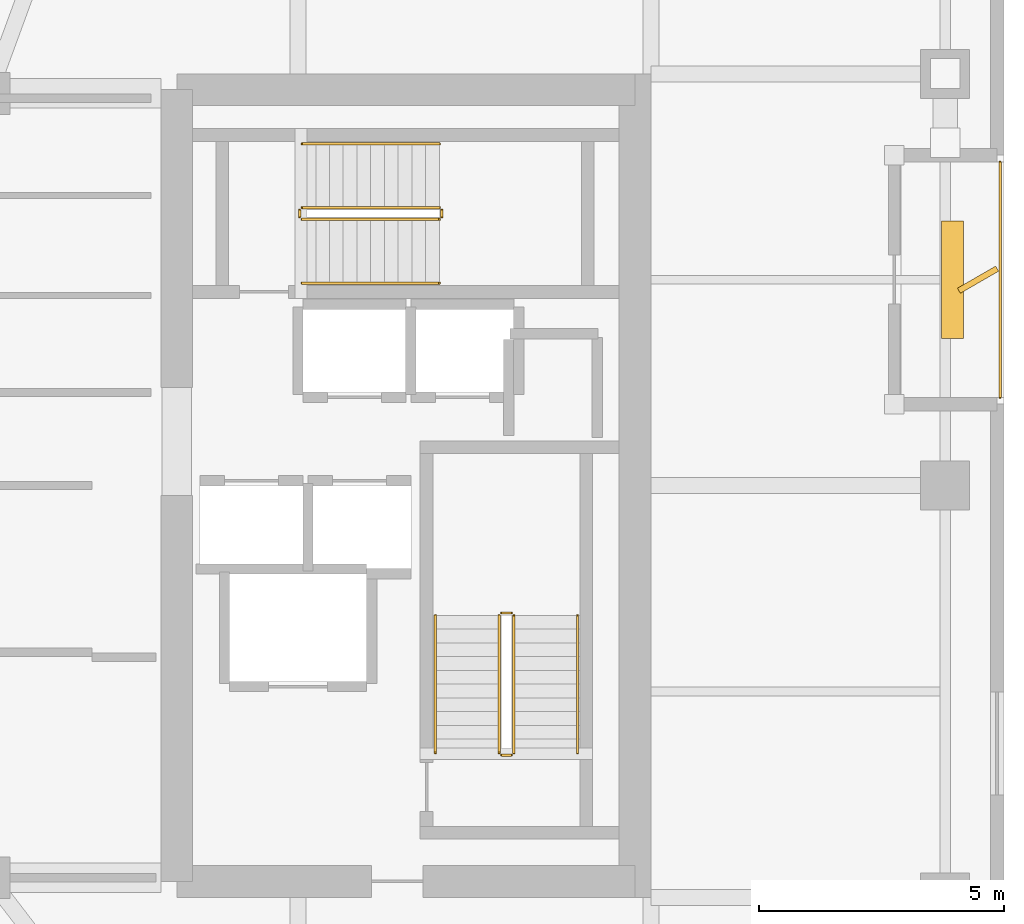
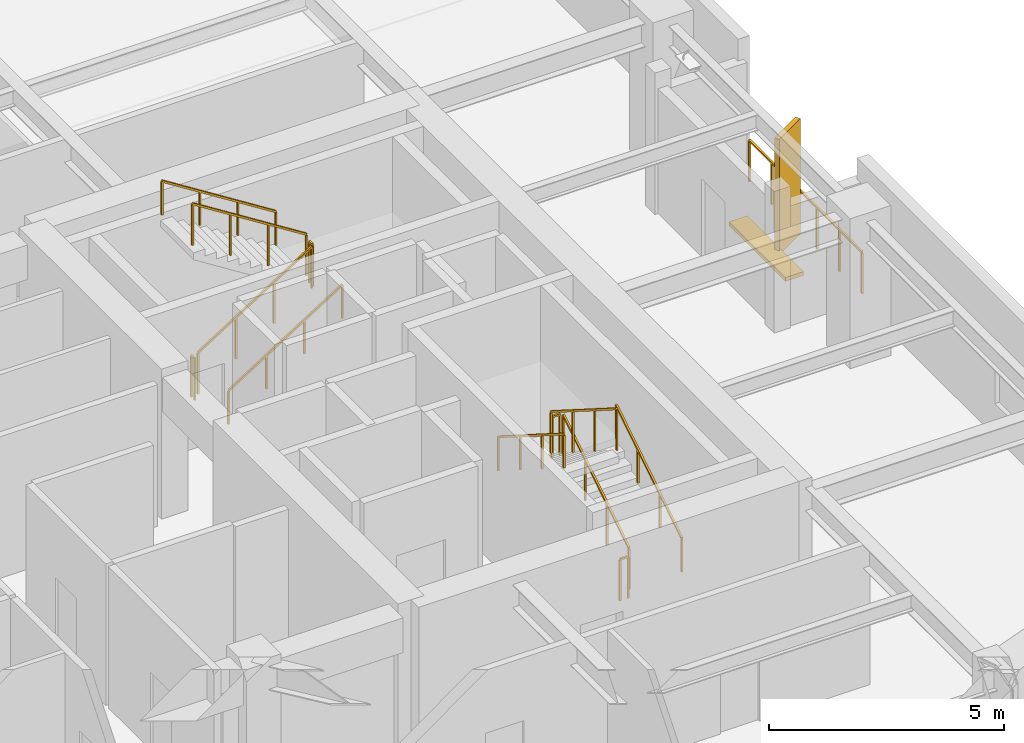
# One storey, part 20 of 21: 13 railings, 2 shading devices.
"""IFC4 building model written with IfcOpenShell, lengths in metres."""

import ifcopenshell
import ifcopenshell.guid

model = None  # the IFC model being written
_history = None  # IfcOwnerHistory: only IFC2X3 demands one
_inside = {}  # id of a spatial element -> (the spatial element, [elements in it])
_under = {}  # id of a project, library or spatial element -> (it, [spatial elements below it])
_declared = {}  # id of a project -> (the project, [libraries it declares])
_typed = {}  # id of a type object -> (the type object, [elements of that type])
_made_of = {}  # id of a material, layer set ... -> (it, [elements and type objects made of it])


def new_model(schema):
    """Start an empty IFC model of exactly this schema.

    Asked for "IFC4X3", IfcOpenShell would pick the latest addendum, in which some entities
    have other attributes; the version numbers below select the first issue.
    IFC2X3 requires an IfcOwnerHistory on every rooted entity: one is made here for all.
    """
    global model, _history
    if schema == "IFC4X3":
        model = ifcopenshell.file(schema_version=(4, 3, 0, 0))
    else:
        model = ifcopenshell.file(schema=schema)
    _inside.clear()
    _under.clear()
    _declared.clear()
    _typed.clear()
    _made_of.clear()
    _history = None
    if model.schema == "IFC2X3":
        org = make("IfcOrganization", Name="unknown")
        user = make(
            "IfcPersonAndOrganization",
            ThePerson=make("IfcPerson", FamilyName="unknown"),
            TheOrganization=org,
        )
        app = make(
            "IfcApplication",
            ApplicationDeveloper=org,
            Version="unknown",
            ApplicationFullName="unknown",
            ApplicationIdentifier="unknown",
        )
        _history = make(
            "IfcOwnerHistory",
            OwningUser=user,
            OwningApplication=app,
            ChangeAction="ADDED",
            CreationDate=0,
        )
    return model


def make(cls, **values):
    """One entity of the class cls with the attributes given. An attribute that is None is left unset."""
    return model.create_entity(
        cls, **{name: value for name, value in values.items() if value is not None}
    )


def rooted(cls, **values):
    """An entity with a GlobalId (a new one), such as an element, a storey or a relation."""
    return make(cls, GlobalId=ifcopenshell.guid.new(), OwnerHistory=_history, **values)


def si_unit(unit_type, name, prefix=None):
    """IfcSIUnit, for example si_unit("LENGTHUNIT", "METRE", prefix="MILLI")."""
    return make("IfcSIUnit", UnitType=unit_type, Prefix=prefix, Name=name)


def assignment(units):
    """IfcUnitAssignment: the units of a project."""
    return None if units is None else make("IfcUnitAssignment", Units=units)


def point(xyz):
    """IfcCartesianPoint."""
    return None if xyz is None else make("IfcCartesianPoint", Coordinates=xyz)


def direction(xyz):
    """IfcDirection."""
    return None if xyz is None else make("IfcDirection", DirectionRatios=xyz)


def frame(location, z_axis=None, x_axis=None):
    """IfcAxis2Placement3D, a coordinate frame: its origin and axes. An axis left out is left unset."""
    return make(
        "IfcAxis2Placement3D",
        Location=point(location),
        Axis=direction(z_axis),
        RefDirection=direction(x_axis),
    )


def frame_2d(location, x_axis=None):
    """IfcAxis2Placement2D, a coordinate frame in the plane: its origin and x axis."""
    return make(
        "IfcAxis2Placement2D", Location=point(location), RefDirection=direction(x_axis)
    )


def origin():
    """The frame at (0, 0, 0) with its axes left unset."""
    return frame((0.0, 0.0, 0.0))


def origin_2d():
    """The frame at (0, 0) in the plane with its x axis left unset."""
    return frame_2d((0.0, 0.0))


def place(relative_to, where):
    """IfcLocalPlacement: puts the frame where relative to a parent placement (None: the world)."""
    return make(
        "IfcLocalPlacement", PlacementRelTo=relative_to, RelativePlacement=where
    )


def context(
    kind, dimensions, precision=None, world=None, true_north=None, identifier=None
):
    """IfcGeometricRepresentationContext, for example the 3D "Model" context."""
    return make(
        "IfcGeometricRepresentationContext",
        ContextIdentifier=identifier,
        ContextType=kind,
        CoordinateSpaceDimension=dimensions,
        Precision=precision,
        WorldCoordinateSystem=world,
        TrueNorth=true_north,
    )


def subcontext(parent, identifier, kind, view, scale=None):
    """IfcGeometricRepresentationSubContext, for example "Body" below "Model"."""
    return make(
        "IfcGeometricRepresentationSubContext",
        ContextIdentifier=identifier,
        ContextType=kind,
        ParentContext=parent,
        TargetScale=scale,
        TargetView=view,
    )


def project(units=None, contexts=None):
    """IfcProject with its units and contexts."""
    return rooted(
        "IfcProject",
        Name="project",
        RepresentationContexts=contexts,
        UnitsInContext=assignment(units),
    )


def spatial(cls, under=None, at=None, **own):
    """A site, building, storey or space (cls), placed at a placement, below another one or the project."""
    s = rooted(cls, ObjectPlacement=at, **own)
    if under is not None:
        _under.setdefault(under.id(), (under, []))[1].append(s)
    return s


def profile(cls, at=None, kind="AREA", **sizes):
    """A parametric profile (cls). Its sizes go by their IFC names, for example OverallWidth=200.0."""
    return make(cls, ProfileType=kind, Position=at, **sizes)


def rectangle(**sizes):
    """IfcRectangleProfileDef."""
    return profile("IfcRectangleProfileDef", **sizes)


def extrude(swept, where, along, depth):
    """IfcExtrudedAreaSolid: the profile swept, set in the frame where, extruded along a direction by depth."""
    return make(
        "IfcExtrudedAreaSolid",
        SweptArea=swept,
        Position=where,
        ExtrudedDirection=direction(along),
        Depth=depth,
    )


def shape(context_of_items, identifier, shape_type, items):
    """IfcShapeRepresentation: the items that make up one representation, for example the "Body"."""
    return make(
        "IfcShapeRepresentation",
        ContextOfItems=context_of_items,
        RepresentationIdentifier=identifier,
        RepresentationType=shape_type,
        Items=items,
    )


def material(Name=None, Category=None):
    """IfcMaterial."""
    return make("IfcMaterial", Name=Name, Category=Category)


def made_of(thing, what):
    """Note that an element or type object is made of a material, layer set ...; save() writes the relation."""
    if what is not None:
        _made_of.setdefault(what.id(), (what, []))[1].append(thing)
    return thing


def type_object(cls, material=None, **own):
    """A type object (cls), such as IfcWallType, which elements share."""
    return made_of(rooted(cls, **own), material)


def element(
    cls,
    number,
    at=None,
    inside=None,
    cuts=None,
    type_object=None,
    material=None,
    context=None,
    identifier="Body",
    shape_type=None,
    held_by="IfcProductDefinitionShape",
    body=None,
    shapes=None,
    **own,
):
    """One element of the class cls, such as IfcWall. Its Tag is "e" and its number.

    at: its placement. inside: the storey or other place that contains it. cuts: it is an
    opening in that element (IfcRelVoidsElement). A single representation is given by context,
    identifier, shape_type and body (its items); several are given by shapes. held_by: the class
    of the entity that holds the representations. save() writes the other relations.
    """
    e = rooted(cls, Tag="e%d" % number, ObjectPlacement=at, **own)
    if body is not None:
        shapes = [shape(context, identifier, shape_type, body)]
    if shapes is not None:
        e.Representation = make(held_by, Representations=shapes)
    if inside is not None:
        _inside.setdefault(inside.id(), (inside, []))[1].append(e)
    if cuts is not None:
        rooted(
            "IfcRelVoidsElement", RelatingBuildingElement=cuts, RelatedOpeningElement=e
        )
    if type_object is not None:
        _typed.setdefault(type_object.id(), (type_object, []))[1].append(e)
    return made_of(e, material)


def aggregate(whole, parts):
    """IfcRelAggregates: a whole, such as a stair, and the parts it consists of."""
    return rooted("IfcRelAggregates", RelatingObject=whole, RelatedObjects=parts)


def save(model, path):
    """Write the relations noted so far, then the file.

    IfcRelAggregates (storeys below a building ...), IfcRelContainedInSpatialStructure (elements
    in a storey), IfcRelDefinesByType, IfcRelAssociatesMaterial and IfcRelDeclares: one each for
    every whole, place, type object, material and project.
    """
    for whole, parts in _under.values():
        aggregate(whole, parts)
    for where, things in _inside.values():
        rooted(
            "IfcRelContainedInSpatialStructure",
            RelatedElements=things,
            RelatingStructure=where,
        )
    for kind, things in _typed.values():
        rooted("IfcRelDefinesByType", RelatedObjects=things, RelatingType=kind)
    for what, things in _made_of.values():
        rooted("IfcRelAssociatesMaterial", RelatedObjects=things, RelatingMaterial=what)
    for by, libraries in _declared.values():
        rooted("IfcRelDeclares", RelatingContext=by, RelatedDefinitions=libraries)
    model.write(path)


model = new_model("IFC4")

# Units and contexts
model_context = context("Model", 3, precision=1e-05, world=origin(), true_north=direction((0.0, 1.0)))
body_context = subcontext(model_context, "Body", "Model", "MODEL_VIEW")
ifc_project = project(units=[si_unit("LENGTHUNIT", "METRE"), si_unit("AREAUNIT", "SQUARE_METRE"), si_unit("VOLUMEUNIT", "CUBIC_METRE"), si_unit("PLANEANGLEUNIT", "RADIAN"), si_unit("MASSUNIT", "GRAM", prefix="KILO")], contexts=[model_context])

# Site, building, storey
site_placement = place(None, origin())
site = spatial("IfcSite", under=ifc_project, at=site_placement, CompositionType="ELEMENT")
building_placement = place(site_placement, origin())
building = spatial("IfcBuilding", under=site, at=building_placement, Name="Kiyonajd Concourse Tower", CompositionType="ELEMENT")
storey_placement = place(building_placement, frame((0.0, 0.0, 247.199951171875)))
storey = spatial("IfcBuildingStorey", under=building, at=storey_placement, Name="L62", CompositionType="ELEMENT", Elevation=247.199951171875)

# Railings
ifc_material_1 = material(Name="Thermally Broken Anodised Aluminium", Category="aluminium")
railing_type_1 = type_object("IfcRailingType", Name="RL-GRD-LOG", PredefinedType="GUARDRAIL", material=ifc_material_1)
railing_1_placement = place(storey_placement, frame((70.719970703125, 37.800048828125, 0.0)))
element("IfcRailing", 1, at=railing_1_placement, inside=storey, type_object=railing_type_1, Name="L62 Engawa Loggia Perimeter Guard LOG-E", PredefinedType="GUARDRAIL", context=body_context, shape_type="SweptSolid", body=[
    extrude(rectangle(XDim=0.048095703125, YDim=0.048095703125, at=origin_2d()), frame((0.0, 0.0, 1.076171875), z_axis=(0.0, 1.0, 0.0), x_axis=(-1.0, 0.0, 0.0)), (0.0, 0.0, 1.0), 4.800048828125),
    extrude(rectangle(XDim=0.0419921875, YDim=0.0419921875, at=origin_2d()), origin(), (0.0, 0.0, 1.0), 1.052001953125),
    extrude(rectangle(XDim=0.0419921875, YDim=0.0419921875, at=origin_2d()), frame((0.0, 0.9599609375, 0.0)), (0.0, 0.0, 1.0), 1.052001953125),
    extrude(rectangle(XDim=0.0419921875, YDim=0.0419921875, at=origin_2d()), frame((0.0, 1.919921875, 0.0)), (0.0, 0.0, 1.0), 1.052001953125),
    extrude(rectangle(XDim=0.0419921875, YDim=0.0419921875, at=origin_2d()), frame((0.0, 2.880126953125, 0.0)), (0.0, 0.0, 1.0), 1.052001953125),
    extrude(rectangle(XDim=0.0419921875, YDim=0.0419921875, at=origin_2d()), frame((0.0, 3.840087890625, 0.0)), (0.0, 0.0, 1.0), 1.052001953125),
    extrude(rectangle(XDim=0.0419921875, YDim=0.0419921875, at=origin_2d()), frame((0.0, 4.800048828125, 0.0)), (0.0, 0.0, 1.0), 1.052001953125),
])
ifc_material_2 = material(Name="Steel ASTM A500 Grade C", Category="steel")
railing_type_2 = type_object("IfcRailingType", Name="RL-GRD-STR", PredefinedType="GUARDRAIL", material=ifc_material_2)
railing_2_placement = place(storey_placement, frame((60.800048828125, 30.550048828125, 0.17724609375)))
element("IfcRailing", 2, at=railing_2_placement, inside=storey, type_object=railing_type_2, Name="L62 ST2 stair guard 1", PredefinedType="GUARDRAIL", context=body_context, shape_type="SweptSolid", body=[
    extrude(rectangle(XDim=0.048095703125, YDim=0.048095703125, at=origin_2d()), frame((0.0, 0.0, 1.076171875), z_axis=(0.0, 0.844908973607, 0.534910110503), x_axis=(-1.0, 0.0, 0.0)), (0.0, 0.0, 1.0), 3.31396484375),
    extrude(rectangle(XDim=0.0419921875, YDim=0.0419921875, at=origin_2d()), origin(), (0.0, 0.0, 1.0), 1.052001953125),
    extrude(rectangle(XDim=0.0419921875, YDim=0.0419921875, at=origin_2d()), frame((0.0, 0.933349609375, 0.5908203125)), (0.0, 0.0, 1.0), 1.052001953125),
    extrude(rectangle(XDim=0.0419921875, YDim=0.0419921875, at=origin_2d()), frame((0.0, 1.86669921875, 1.181884765625)), (0.0, 0.0, 1.0), 1.052001953125),
    extrude(rectangle(XDim=0.0419921875, YDim=0.0419921875, at=origin_2d()), frame((0.0, 2.800048828125, 1.772705078125)), (0.0, 0.0, 1.0), 1.052001953125),
])
railing_3_placement = place(storey_placement, frame((60.75, 33.39990234375, 1.949951171875)))
element("IfcRailing", 3, at=railing_3_placement, inside=storey, type_object=railing_type_2, Name="L62 ST2 stair guard 2", PredefinedType="GUARDRAIL", context=body_context, shape_type="SweptSolid", body=[
    extrude(rectangle(XDim=0.048095703125, YDim=0.048095703125, at=origin_2d()), frame((0.0, 0.0, 1.076171875), z_axis=(-1.0, 0.0, 0.0), x_axis=(0.0, -1.0, 0.0)), (0.0, 0.0, 1.0), 0.199951171875),
    extrude(rectangle(XDim=0.0419921875, YDim=0.0419921875, at=origin_2d()), origin(), (0.0, 0.0, 1.0), 1.052001953125),
    extrude(rectangle(XDim=0.0419921875, YDim=0.0419921875, at=origin_2d()), frame((-0.199951171875, 0.0, 0.0)), (0.0, 0.0, 1.0), 1.052001953125),
])
railing_4_placement = place(storey_placement, frame((60.5, 33.35009765625, 2.12744140625)))
element("IfcRailing", 4, at=railing_4_placement, inside=storey, type_object=railing_type_2, Name="L62 ST2 stair guard 3", PredefinedType="GUARDRAIL", context=body_context, shape_type="SweptSolid", body=[
    extrude(rectangle(XDim=0.048095703125, YDim=0.048095703125, at=origin_2d()), frame((0.0, 0.0, 1.076171875), z_axis=(0.0, -0.844908973607, 0.534910110503), x_axis=(1.0, 0.0, 0.0)), (0.0, 0.0, 1.0), 3.31396484375),
    extrude(rectangle(XDim=0.0419921875, YDim=0.0419921875, at=origin_2d()), origin(), (0.0, 0.0, 1.0), 1.052001953125),
    extrude(rectangle(XDim=0.0419921875, YDim=0.0419921875, at=origin_2d()), frame((0.0, -0.933349609375, 0.5908203125)), (0.0, 0.0, 1.0), 1.052001953125),
    extrude(rectangle(XDim=0.0419921875, YDim=0.0419921875, at=origin_2d()), frame((0.0, -1.86669921875, 1.181884765625)), (0.0, 0.0, 1.0), 1.052001953125),
    extrude(rectangle(XDim=0.0419921875, YDim=0.0419921875, at=origin_2d()), frame((0.0, -2.800048828125, 1.772705078125)), (0.0, 0.0, 1.0), 1.052001953125),
])
railing_5_placement = place(storey_placement, frame((60.75, 30.5, 0.0)))
element("IfcRailing", 5, at=railing_5_placement, inside=storey, type_object=railing_type_2, Name="L62 ST2 stair guard 4", PredefinedType="GUARDRAIL", context=body_context, shape_type="SweptSolid", body=[
    extrude(rectangle(XDim=0.048095703125, YDim=0.048095703125, at=origin_2d()), frame((0.0, 0.0, 1.076171875), z_axis=(-1.0, 0.0, 0.0), x_axis=(0.0, -1.0, 0.0)), (0.0, 0.0, 1.0), 0.199951171875),
    extrude(rectangle(XDim=0.0419921875, YDim=0.0419921875, at=origin_2d()), origin(), (0.0, 0.0, 1.0), 1.052001953125),
    extrude(rectangle(XDim=0.0419921875, YDim=0.0419921875, at=origin_2d()), frame((-0.199951171875, 0.0, 0.0)), (0.0, 0.0, 1.0), 1.052001953125),
])
railing_6_placement = place(storey_placement, frame((56.47998046875, 41.429931640625, 0.17724609375)))
element("IfcRailing", 6, at=railing_6_placement, inside=storey, type_object=railing_type_2, Name="L62 ST3 stair guard 1", PredefinedType="GUARDRAIL", context=body_context, shape_type="SweptSolid", body=[
    extrude(rectangle(XDim=0.048095703125, YDim=0.048095703125, at=origin_2d()), frame((0.0, 0.0, 1.076171875), z_axis=(0.844908973607, 0.0, 0.534910110503), x_axis=(0.0, 1.0, 0.0)), (0.0, 0.0, 1.0), 3.31396484375),
    extrude(rectangle(XDim=0.0419921875, YDim=0.0419921875, at=origin_2d()), origin(), (0.0, 0.0, 1.0), 1.052001953125),
    extrude(rectangle(XDim=0.0419921875, YDim=0.0419921875, at=origin_2d()), frame((0.933349609375, 0.0, 0.5908203125)), (0.0, 0.0, 1.0), 1.052001953125),
    extrude(rectangle(XDim=0.0419921875, YDim=0.0419921875, at=origin_2d()), frame((1.86669921875, 0.0, 1.181884765625)), (0.0, 0.0, 1.0), 1.052001953125),
    extrude(rectangle(XDim=0.0419921875, YDim=0.0419921875, at=origin_2d()), frame((2.800048828125, 0.0, 1.772705078125)), (0.0, 0.0, 1.0), 1.052001953125),
])
railing_7_placement = place(storey_placement, frame((59.330078125, 41.47998046875, 1.949951171875)))
element("IfcRailing", 7, at=railing_7_placement, inside=storey, type_object=railing_type_2, Name="L62 ST3 stair guard 2", PredefinedType="GUARDRAIL", context=body_context, shape_type="SweptSolid", body=[
    extrude(rectangle(XDim=0.048095703125, YDim=0.048095703125, at=origin_2d()), frame((0.0, 0.0, 1.076171875), z_axis=(0.0, 1.0, 0.0), x_axis=(-1.0, 0.0, 0.0)), (0.0, 0.0, 1.0), 0.14013671875),
    extrude(rectangle(XDim=0.0419921875, YDim=0.0419921875, at=origin_2d()), origin(), (0.0, 0.0, 1.0), 1.052001953125),
    extrude(rectangle(XDim=0.0419921875, YDim=0.0419921875, at=origin_2d()), frame((0.0, 0.14013671875, 0.0)), (0.0, 0.0, 1.0), 1.052001953125),
])
railing_8_placement = place(storey_placement, frame((59.280029296875, 41.669921875, 2.12744140625)))
element("IfcRailing", 8, at=railing_8_placement, inside=storey, type_object=railing_type_2, Name="L62 ST3 stair guard 3", PredefinedType="GUARDRAIL", context=body_context, shape_type="SweptSolid", body=[
    extrude(rectangle(XDim=0.048095703125, YDim=0.048095703125, at=origin_2d()), frame((0.0, 0.0, 1.076171875), z_axis=(-0.844908973607, 0.0, 0.534910110503), x_axis=(0.0, -1.0, 0.0)), (0.0, 0.0, 1.0), 3.31396484375),
    extrude(rectangle(XDim=0.0419921875, YDim=0.0419921875, at=origin_2d()), origin(), (0.0, 0.0, 1.0), 1.052001953125),
    extrude(rectangle(XDim=0.0419921875, YDim=0.0419921875, at=origin_2d()), frame((-0.933349609375, 0.0, 0.5908203125)), (0.0, 0.0, 1.0), 1.052001953125),
    extrude(rectangle(XDim=0.0419921875, YDim=0.0419921875, at=origin_2d()), frame((-1.86669921875, 0.0, 1.181884765625)), (0.0, 0.0, 1.0), 1.052001953125),
    extrude(rectangle(XDim=0.0419921875, YDim=0.0419921875, at=origin_2d()), frame((-2.800048828125, 0.0, 1.772705078125)), (0.0, 0.0, 1.0), 1.052001953125),
])
railing_9_placement = place(storey_placement, frame((56.429931640625, 41.47998046875, 0.0)))
element("IfcRailing", 9, at=railing_9_placement, inside=storey, type_object=railing_type_2, Name="L62 ST3 stair guard 4", PredefinedType="GUARDRAIL", context=body_context, shape_type="SweptSolid", body=[
    extrude(rectangle(XDim=0.048095703125, YDim=0.048095703125, at=origin_2d()), frame((0.0, 0.0, 1.076171875), z_axis=(0.0, 1.0, 0.0), x_axis=(-1.0, 0.0, 0.0)), (0.0, 0.0, 1.0), 0.14013671875),
    extrude(rectangle(XDim=0.0419921875, YDim=0.0419921875, at=origin_2d()), origin(), (0.0, 0.0, 1.0), 1.052001953125),
    extrude(rectangle(XDim=0.0419921875, YDim=0.0419921875, at=origin_2d()), frame((0.0, 0.14013671875, 0.0)), (0.0, 0.0, 1.0), 1.052001953125),
])
ifc_material_3 = material(Name="Brushed Stainless Steel Cab Assembly", Category="steel")
railing_type_3 = type_object("IfcRailingType", Name="RL-HND-900", PredefinedType="HANDRAIL", material=ifc_material_3)
railing_10_placement = place(storey_placement, frame((62.10009765625, 30.550048828125, 0.17724609375)))
element("IfcRailing", 10, at=railing_10_placement, inside=storey, type_object=railing_type_3, Name="L62 ST2 stair handrail 1", PredefinedType="HANDRAIL", context=body_context, shape_type="SweptSolid", body=[
    extrude(rectangle(XDim=0.048095703125, YDim=0.048095703125, at=origin_2d()), frame((0.0, 0.0, 0.8759765625), z_axis=(0.0, 0.844908973607, 0.534910110503), x_axis=(-1.0, 0.0, 0.0)), (0.0, 0.0, 1.0), 3.31396484375),
    extrude(rectangle(XDim=0.0419921875, YDim=0.0419921875, at=origin_2d()), origin(), (0.0, 0.0, 1.0), 0.851806640625),
    extrude(rectangle(XDim=0.0419921875, YDim=0.0419921875, at=origin_2d()), frame((0.0, 0.933349609375, 0.5908203125)), (0.0, 0.0, 1.0), 0.851806640625),
    extrude(rectangle(XDim=0.0419921875, YDim=0.0419921875, at=origin_2d()), frame((0.0, 1.86669921875, 1.181884765625)), (0.0, 0.0, 1.0), 0.851806640625),
    extrude(rectangle(XDim=0.0419921875, YDim=0.0419921875, at=origin_2d()), frame((0.0, 2.800048828125, 1.772705078125)), (0.0, 0.0, 1.0), 0.851806640625),
])
railing_11_placement = place(storey_placement, frame((59.199951171875, 33.35009765625, 2.12744140625)))
element("IfcRailing", 11, at=railing_11_placement, inside=storey, type_object=railing_type_3, Name="L62 ST2 stair handrail 2", PredefinedType="HANDRAIL", context=body_context, shape_type="SweptSolid", body=[
    extrude(rectangle(XDim=0.048095703125, YDim=0.048095703125, at=origin_2d()), frame((0.0, 0.0, 0.8759765625), z_axis=(0.0, -0.844908973607, 0.534910110503), x_axis=(1.0, 0.0, 0.0)), (0.0, 0.0, 1.0), 3.31396484375),
    extrude(rectangle(XDim=0.0419921875, YDim=0.0419921875, at=origin_2d()), origin(), (0.0, 0.0, 1.0), 0.851806640625),
    extrude(rectangle(XDim=0.0419921875, YDim=0.0419921875, at=origin_2d()), frame((0.0, -0.933349609375, 0.5908203125)), (0.0, 0.0, 1.0), 0.851806640625),
    extrude(rectangle(XDim=0.0419921875, YDim=0.0419921875, at=origin_2d()), frame((0.0, -1.86669921875, 1.181884765625)), (0.0, 0.0, 1.0), 0.851806640625),
    extrude(rectangle(XDim=0.0419921875, YDim=0.0419921875, at=origin_2d()), frame((0.0, -2.800048828125, 1.772705078125)), (0.0, 0.0, 1.0), 0.851806640625),
])
railing_12_placement = place(storey_placement, frame((56.47998046875, 40.1298828125, 0.17724609375)))
element("IfcRailing", 12, at=railing_12_placement, inside=storey, type_object=railing_type_3, Name="L62 ST3 stair handrail 1", PredefinedType="HANDRAIL", context=body_context, shape_type="SweptSolid", body=[
    extrude(rectangle(XDim=0.048095703125, YDim=0.048095703125, at=origin_2d()), frame((0.0, 0.0, 0.8759765625), z_axis=(0.844908973607, 0.0, 0.534910110503), x_axis=(0.0, 1.0, 0.0)), (0.0, 0.0, 1.0), 3.31396484375),
    extrude(rectangle(XDim=0.0419921875, YDim=0.0419921875, at=origin_2d()), origin(), (0.0, 0.0, 1.0), 0.851806640625),
    extrude(rectangle(XDim=0.0419921875, YDim=0.0419921875, at=origin_2d()), frame((0.933349609375, 0.0, 0.5908203125)), (0.0, 0.0, 1.0), 0.851806640625),
    extrude(rectangle(XDim=0.0419921875, YDim=0.0419921875, at=origin_2d()), frame((1.86669921875, 0.0, 1.181884765625)), (0.0, 0.0, 1.0), 0.851806640625),
    extrude(rectangle(XDim=0.0419921875, YDim=0.0419921875, at=origin_2d()), frame((2.800048828125, 0.0, 1.772705078125)), (0.0, 0.0, 1.0), 0.851806640625),
])
railing_13_placement = place(storey_placement, frame((59.280029296875, 42.969970703125, 2.12744140625)))
element("IfcRailing", 13, at=railing_13_placement, inside=storey, type_object=railing_type_3, Name="L62 ST3 stair handrail 2", PredefinedType="HANDRAIL", context=body_context, shape_type="SweptSolid", body=[
    extrude(rectangle(XDim=0.048095703125, YDim=0.048095703125, at=origin_2d()), frame((0.0, 0.0, 0.8759765625), z_axis=(-0.844908973607, 0.0, 0.534910110503), x_axis=(0.0, -1.0, 0.0)), (0.0, 0.0, 1.0), 3.31396484375),
    extrude(rectangle(XDim=0.0419921875, YDim=0.0419921875, at=origin_2d()), origin(), (0.0, 0.0, 1.0), 0.851806640625),
    extrude(rectangle(XDim=0.0419921875, YDim=0.0419921875, at=origin_2d()), frame((-0.933349609375, 0.0, 0.5908203125)), (0.0, 0.0, 1.0), 0.851806640625),
    extrude(rectangle(XDim=0.0419921875, YDim=0.0419921875, at=origin_2d()), frame((-1.86669921875, 0.0, 1.181884765625)), (0.0, 0.0, 1.0), 0.851806640625),
    extrude(rectangle(XDim=0.0419921875, YDim=0.0419921875, at=origin_2d()), frame((-2.800048828125, 0.0, 1.772705078125)), (0.0, 0.0, 1.0), 0.851806640625),
])

# Shading devices
ifc_material_4 = material(Name="Precast concrete C50/60", Category="concrete")
shading_device_type_1 = type_object("IfcShadingDeviceType", Name="SH-FIN-900", PredefinedType="USERDEFINED", material=ifc_material_4)
shading_device_1_placement = place(storey_placement, frame((70.27001953125, 40.199951171875, 0.0), z_axis=(0.0, 0.0, 1.0), x_axis=(0.866025403784, 0.5, 0.0)))
element("IfcShadingDevice", 14, at=shading_device_1_placement, inside=storey, type_object=shading_device_type_1, Name="L62 Angled Koshi Solar Fin LOG-E", ObjectType="FIN", PredefinedType="USERDEFINED", context=body_context, shape_type="SweptSolid", body=[
    extrude(rectangle(XDim=0.89990234375, YDim=0.1201171875, at=origin_2d()), origin(), (0.0, 0.0, 1.0), 3.0),
])
shading_device_type_2 = type_object("IfcShadingDeviceType", Name="SH-LVR-600", PredefinedType="JALOUSIE", material=ifc_material_1)
shading_device_2_placement = place(storey_placement, frame((69.75, 40.199951171875, 0.0), z_axis=(0.0, 0.0, 1.0), x_axis=(0.0, 1.0, 0.0)))
element("IfcShadingDevice", 15, at=shading_device_2_placement, inside=storey, type_object=shading_device_type_2, Name="L62 Loggia Threshold Louver LOG-E", PredefinedType="JALOUSIE", context=body_context, shape_type="SweptSolid", body=[
    extrude(rectangle(XDim=2.39990234375, YDim=0.449951171875, at=origin_2d()), origin(), (0.0, 0.0, 1.0), 0.10009765625),
])

save(model, "model.ifc")
